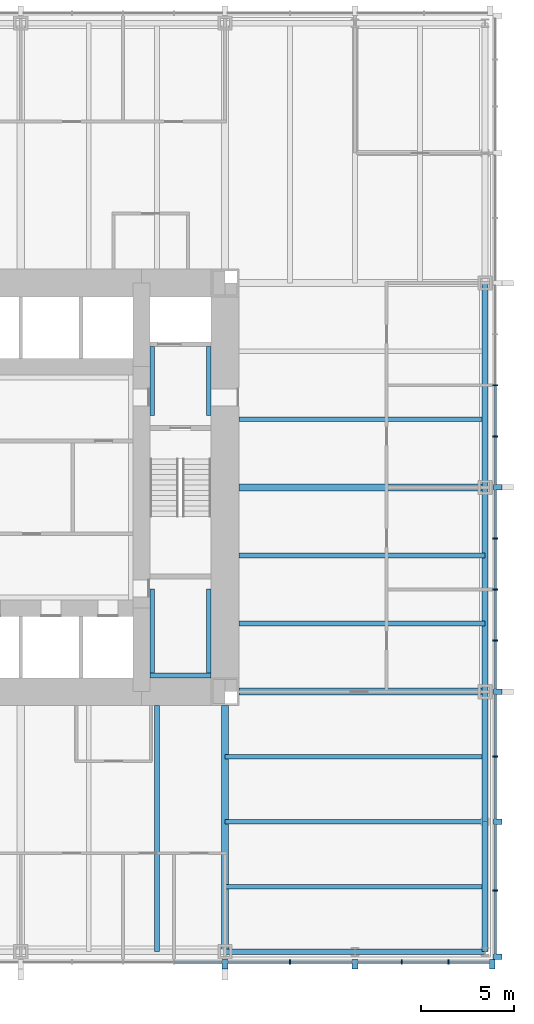
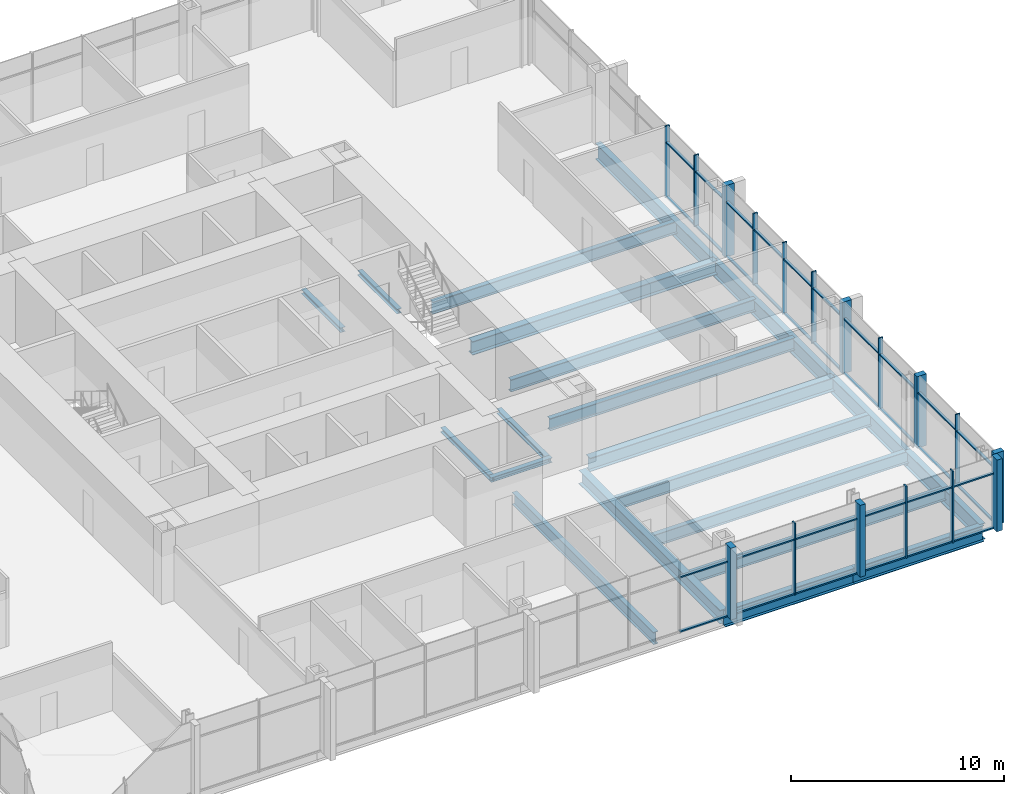
# One storey, part 4 of 12: 49 members, 21 beams, 2 elements without a shape of their own.
"""IFC4 building model written with IfcOpenShell, lengths in metres."""

from ifc_helpers import new_model, si_unit, direction, frame, origin, origin_2d, place, context, subcontext, project, spatial, rectangle, i_section, extrude, material, material_profile, profile_set, type_object, element, aggregate, save


model = new_model("IFC4")

# Units and contexts
model_context = context("Model", 3, precision=1e-05, world=origin(), true_north=direction((0.0, 1.0)))
body_context = subcontext(model_context, "Body", "Model", "MODEL_VIEW")
ifc_project = project(units=[si_unit("LENGTHUNIT", "METRE"), si_unit("AREAUNIT", "SQUARE_METRE"), si_unit("VOLUMEUNIT", "CUBIC_METRE"), si_unit("PLANEANGLEUNIT", "RADIAN"), si_unit("MASSUNIT", "GRAM", prefix="KILO")], contexts=[model_context])

# Site, building, storey
site_placement = place(None, origin())
site = spatial("IfcSite", under=ifc_project, at=site_placement, CompositionType="ELEMENT")
building_placement = place(site_placement, origin())
building = spatial("IfcBuilding", under=site, at=building_placement, Name="Trevanion Tower", CompositionType="ELEMENT")
storey_placement = place(building_placement, frame((0.0, 0.0, 69.300048828125)))
storey = spatial("IfcBuildingStorey", under=building, at=storey_placement, Name="L16", CompositionType="ELEMENT", Elevation=69.300048828125)

# Beams
ifc_material_1 = material(Name="Steel ASTM A992 Grade 50", Category="steel")
ifc_material_profile_1 = material_profile(ifc_material_1, i_section(OverallWidth=0.25390625, OverallDepth=0.700927734375, WebThickness=0.015380859375, FlangeThickness=0.02783203125, at=origin_2d()), Name="W27X129")
ifc_profile_set_1 = profile_set([ifc_material_profile_1], Name="Steel ASTM A992 Grade 50")
beam_type_1 = type_object("IfcBeamType", Name="B3 W27X129", PredefinedType="BEAM", material=ifc_profile_set_1)
for number, where, z_axis, x_axis, name in (
    (1, (11.75, -7.333251953125, -0.54052734375), (1.0, 0.0, 0.0), (0.0, 1.0, 0.0), "B3 L16"),
    (2, (11.75, -3.666748046875, -0.54052734375), (1.0, 0.0, 0.0), (0.0, 1.0, 0.0), "B3 L16"),
    (3, (11.75, 3.666748046875, -0.54052734375), (1.0, 0.0, 0.0), (0.0, 1.0, 0.0), "B3 L16"),
    (4, (7.333251953125, -11.75, -0.54052734375), (0.0, -1.0, 0.0), (1.0, 0.0, 0.0), "B3 L16"),
):
    element("IfcBeam", number, at=place(storey_placement, frame(where, z_axis=z_axis, x_axis=x_axis)), inside=storey, type_object=beam_type_1, Name=name, PredefinedType="BEAM", context=body_context, shape_type="SweptSolid", body=[
        extrude(i_section(OverallWidth=0.25390625, OverallDepth=0.700927734375, WebThickness=0.015380859375, FlangeThickness=0.02783203125, at=origin_2d()), origin(), (0.0, 0.0, 1.0), 13.25),
    ])
ifc_material_2 = material(Name="Steel ASTM A992 Grade 50", Category="steel")
ifc_material_profile_2 = material_profile(ifc_material_2, i_section(OverallWidth=0.256591796875, OverallDepth=0.693359375, WebThickness=0.014404296875, FlangeThickness=0.023681640625, at=origin_2d()), Name="W27X114")
ifc_profile_set_2 = profile_set([ifc_material_profile_2], Name="Steel ASTM A992 Grade 50")
beam_type_2 = type_object("IfcBeamType", Name="B4 W27X114", PredefinedType="BEAM", material=ifc_profile_set_2)
for number, where, z_axis, x_axis, name in (
    (5, (11.0, -14.5, -0.536865234375), (1.0, 0.0, 0.0), (0.0, 1.0, 0.0), "B4 L16"),
    (6, (11.0, -18.0, -0.536865234375), (1.0, 0.0, 0.0), (0.0, 1.0, 0.0), "B4 L16"),
    (7, (11.0, -21.5, -0.536865234375), (1.0, 0.0, 0.0), (0.0, 1.0, 0.0), "B4 L16"),
):
    element("IfcBeam", number, at=place(storey_placement, frame(where, z_axis=z_axis, x_axis=x_axis)), inside=storey, type_object=beam_type_2, Name=name, PredefinedType="BEAM", context=body_context, shape_type="SweptSolid", body=[
        extrude(i_section(OverallWidth=0.256591796875, OverallDepth=0.693359375, WebThickness=0.014404296875, FlangeThickness=0.023681640625, at=origin_2d()), origin(), (0.0, 0.0, 1.0), 14.0),
    ])

# Curtain wall, members
ifc_material_3 = material(Name="Aluminium and glass", Category="aluminium")
curtain_wall_type = type_object("IfcCurtainWallType", Name="CW1 curtain wall", PredefinedType="USERDEFINED", material=ifc_material_3)
curtain_wall_1_placement = place(storey_placement, origin())
curtain_wall_1 = element("IfcCurtainWall", 8, at=curtain_wall_1_placement, inside=storey, type_object=curtain_wall_type, Name="CW1 L16 0", ObjectType="UNITISED CURTAIN WALL", PredefinedType="USERDEFINED")
ifc_material_4 = material(Name="Aluminium extrusion, anodised bronze", Category="aluminium")
ifc_material_profile_3 = material_profile(ifc_material_4, rectangle(XDim=0.074951171875, YDim=0.25, at=origin_2d()), Name="CW1 mullion")
ifc_profile_set_3 = profile_set([ifc_material_profile_3], Name="Aluminium extrusion, anodised bronze")
member_type_1 = type_object("IfcMemberType", Name="CW1 mullion", PredefinedType="MULLION", material=ifc_profile_set_3)
member_1_placement = place(storey_placement, frame((25.550048828125, -21.7099609375, -0.18994140625), z_axis=(0.0, 0.0, 1.0), x_axis=(0.0, 1.0, 0.0)))
member_1 = element("IfcMember", 9, at=member_1_placement, type_object=member_type_1, Name="CW1 mullion 2", PredefinedType="MULLION", context=body_context, shape_type="SweptSolid", body=[
    extrude(rectangle(XDim=0.074951171875, YDim=0.25, at=origin_2d()), origin(), (0.0, 0.0, 1.0), 4.099853515625),
])
member_2_placement = place(storey_placement, frame((25.550048828125, -14.5, -0.18994140625), z_axis=(0.0, 0.0, 1.0), x_axis=(0.0, 1.0, 0.0)))
member_2 = element("IfcMember", 10, at=member_2_placement, type_object=member_type_1, Name="CW1 mullion 4", PredefinedType="MULLION", context=body_context, shape_type="SweptSolid", body=[
    extrude(rectangle(XDim=0.074951171875, YDim=0.25, at=origin_2d()), origin(), (0.0, 0.0, 1.0), 4.099853515625),
])
member_3_placement = place(storey_placement, frame((25.550048828125, -8.25, -0.18994140625), z_axis=(0.0, 0.0, 1.0), x_axis=(0.0, 1.0, 0.0)))
member_3 = element("IfcMember", 11, at=member_3_placement, type_object=member_type_1, Name="CW1 mullion 6", PredefinedType="MULLION", context=body_context, shape_type="SweptSolid", body=[
    extrude(rectangle(XDim=0.074951171875, YDim=0.25, at=origin_2d()), origin(), (0.0, 0.0, 1.0), 4.099853515625),
])
member_4_placement = place(storey_placement, frame((25.550048828125, -5.5, -0.18994140625), z_axis=(0.0, 0.0, 1.0), x_axis=(0.0, 1.0, 0.0)))
member_4 = element("IfcMember", 12, at=member_4_placement, type_object=member_type_1, Name="CW1 mullion 7", PredefinedType="MULLION", context=body_context, shape_type="SweptSolid", body=[
    extrude(rectangle(XDim=0.074951171875, YDim=0.25, at=origin_2d()), origin(), (0.0, 0.0, 1.0), 4.099853515625),
])
member_5_placement = place(storey_placement, frame((25.550048828125, -2.75, -0.18994140625), z_axis=(0.0, 0.0, 1.0), x_axis=(0.0, 1.0, 0.0)))
member_5 = element("IfcMember", 13, at=member_5_placement, type_object=member_type_1, Name="CW1 mullion 8", PredefinedType="MULLION", context=body_context, shape_type="SweptSolid", body=[
    extrude(rectangle(XDim=0.074951171875, YDim=0.25, at=origin_2d()), origin(), (0.0, 0.0, 1.0), 4.099853515625),
])
member_6_placement = place(storey_placement, frame((25.550048828125, 2.75, -0.18994140625), z_axis=(0.0, 0.0, 1.0), x_axis=(0.0, 1.0, 0.0)))
member_6 = element("IfcMember", 14, at=member_6_placement, type_object=member_type_1, Name="CW1 mullion 10", PredefinedType="MULLION", context=body_context, shape_type="SweptSolid", body=[
    extrude(rectangle(XDim=0.074951171875, YDim=0.25, at=origin_2d()), origin(), (0.0, 0.0, 1.0), 4.099853515625),
])
member_7_placement = place(storey_placement, frame((25.550048828125, 5.5, -0.18994140625), z_axis=(0.0, 0.0, 1.0), x_axis=(0.0, 1.0, 0.0)))
member_7 = element("IfcMember", 15, at=member_7_placement, type_object=member_type_1, Name="CW1 mullion 11", PredefinedType="MULLION", context=body_context, shape_type="SweptSolid", body=[
    extrude(rectangle(XDim=0.074951171875, YDim=0.25, at=origin_2d()), origin(), (0.0, 0.0, 1.0), 4.099853515625),
])

curtain_wall_2_placement = place(storey_placement, origin())
curtain_wall_2 = element("IfcCurtainWall", 16, at=curtain_wall_2_placement, inside=storey, type_object=curtain_wall_type, Name="CW1 L16 3", ObjectType="UNITISED CURTAIN WALL", PredefinedType="USERDEFINED")
member_8_placement = place(storey_placement, frame((14.5, -25.550048828125, -0.18994140625), z_axis=(0.0, 0.0, 1.0), x_axis=(1.0, 0.0, 0.0)))
member_8 = element("IfcMember", 17, at=member_8_placement, type_object=member_type_1, Name="CW1 mullion 14", PredefinedType="MULLION", context=body_context, shape_type="SweptSolid", body=[
    extrude(rectangle(XDim=0.074951171875, YDim=0.25, at=origin_2d()), origin(), (0.0, 0.0, 1.0), 4.099853515625),
])
member_9_placement = place(storey_placement, frame((20.5166015625, -25.550048828125, -0.18994140625), z_axis=(0.0, 0.0, 1.0), x_axis=(1.0, 0.0, 0.0)))
member_9 = element("IfcMember", 18, at=member_9_placement, type_object=member_type_1, Name="CW1 mullion 16", PredefinedType="MULLION", context=body_context, shape_type="SweptSolid", body=[
    extrude(rectangle(XDim=0.074951171875, YDim=0.25, at=origin_2d()), origin(), (0.0, 0.0, 1.0), 4.099853515625),
])
member_10_placement = place(storey_placement, frame((23.033203125, -25.550048828125, -0.18994140625), z_axis=(0.0, 0.0, 1.0), x_axis=(1.0, 0.0, 0.0)))
member_10 = element("IfcMember", 19, at=member_10_placement, type_object=member_type_1, Name="CW1 mullion 17", PredefinedType="MULLION", context=body_context, shape_type="SweptSolid", body=[
    extrude(rectangle(XDim=0.074951171875, YDim=0.25, at=origin_2d()), origin(), (0.0, 0.0, 1.0), 4.099853515625),
])

# Member
ifc_material_5 = material(Name="Aluminium extrusion, anodised bronze", Category="aluminium")
ifc_material_profile_4 = material_profile(ifc_material_5, rectangle(XDim=0.300048828125, YDim=0.5, at=origin_2d()), Name="CW1 pier mullion")
ifc_profile_set_4 = profile_set([ifc_material_profile_4], Name="Aluminium extrusion, anodised bronze")
member_type_2 = type_object("IfcMemberType", Name="CW1 pier mullion", PredefinedType="MULLION", material=ifc_profile_set_4)
member_11_placement = place(storey_placement, frame((25.675048828125, -25.27001953125, -0.18994140625), z_axis=(0.0, 0.0, 1.0), x_axis=(0.0, 1.0, 0.0)))
member_11 = element("IfcMember", 20, at=member_11_placement, type_object=member_type_2, Name="CW1 pier mullion 1", PredefinedType="MULLION", context=body_context, shape_type="SweptSolid", body=[
    extrude(rectangle(XDim=0.300048828125, YDim=0.5, at=origin_2d()), origin(), (0.0, 0.0, 1.0), 4.099853515625),
])

member_12_placement = place(storey_placement, frame((25.675048828125, -18.0, -0.18994140625), z_axis=(0.0, 0.0, 1.0), x_axis=(0.0, 1.0, 0.0)))
member_12 = element("IfcMember", 21, at=member_12_placement, type_object=member_type_2, Name="CW1 pier mullion 3", PredefinedType="MULLION", context=body_context, shape_type="SweptSolid", body=[
    extrude(rectangle(XDim=0.300048828125, YDim=0.5, at=origin_2d()), origin(), (0.0, 0.0, 1.0), 4.099853515625),
])

member_13_placement = place(storey_placement, frame((25.675048828125, -11.0, -0.18994140625), z_axis=(0.0, 0.0, 1.0), x_axis=(0.0, 1.0, 0.0)))
member_13 = element("IfcMember", 22, at=member_13_placement, type_object=member_type_2, Name="CW1 pier mullion 5", PredefinedType="MULLION", context=body_context, shape_type="SweptSolid", body=[
    extrude(rectangle(XDim=0.300048828125, YDim=0.5, at=origin_2d()), origin(), (0.0, 0.0, 1.0), 4.099853515625),
])

member_14_placement = place(storey_placement, frame((25.675048828125, 0.0, -0.18994140625), z_axis=(0.0, 0.0, 1.0), x_axis=(0.0, 1.0, 0.0)))
member_14 = element("IfcMember", 23, at=member_14_placement, type_object=member_type_2, Name="CW1 pier mullion 9", PredefinedType="MULLION", context=body_context, shape_type="SweptSolid", body=[
    extrude(rectangle(XDim=0.300048828125, YDim=0.5, at=origin_2d()), origin(), (0.0, 0.0, 1.0), 4.099853515625),
])

member_15_placement = place(storey_placement, frame((11.0, -25.675048828125, -0.18994140625), z_axis=(0.0, 0.0, 1.0), x_axis=(1.0, 0.0, 0.0)))
member_15 = element("IfcMember", 24, at=member_15_placement, type_object=member_type_2, Name="CW1 pier mullion 13", PredefinedType="MULLION", context=body_context, shape_type="SweptSolid", body=[
    extrude(rectangle(XDim=0.300048828125, YDim=0.5, at=origin_2d()), origin(), (0.0, 0.0, 1.0), 4.099853515625),
])

member_16_placement = place(storey_placement, frame((18.0, -25.675048828125, -0.18994140625), z_axis=(0.0, 0.0, 1.0), x_axis=(1.0, 0.0, 0.0)))
member_16 = element("IfcMember", 25, at=member_16_placement, type_object=member_type_2, Name="CW1 pier mullion 15", PredefinedType="MULLION", context=body_context, shape_type="SweptSolid", body=[
    extrude(rectangle(XDim=0.300048828125, YDim=0.5, at=origin_2d()), origin(), (0.0, 0.0, 1.0), 4.099853515625),
])

member_17_placement = place(storey_placement, frame((25.39990234375, -25.675048828125, -0.18994140625), z_axis=(0.0, 0.0, 1.0), x_axis=(1.0, 0.0, 0.0)))
member_17 = element("IfcMember", 26, at=member_17_placement, type_object=member_type_2, Name="CW1 pier mullion 18", PredefinedType="MULLION", context=body_context, shape_type="SweptSolid", body=[
    extrude(rectangle(XDim=0.300048828125, YDim=0.5, at=origin_2d()), origin(), (0.0, 0.0, 1.0), 4.099853515625),
])

ifc_material_6 = material(Name="Aluminium extrusion, anodised bronze", Category="aluminium")
ifc_material_profile_5 = material_profile(ifc_material_6, rectangle(XDim=0.14990234375, YDim=0.074951171875, at=origin_2d()), Name="CW1 transom")
ifc_profile_set_5 = profile_set([ifc_material_profile_5], Name="Aluminium extrusion, anodised bronze")
member_type_3 = type_object("IfcMemberType", Name="CW1 transom", PredefinedType="USERDEFINED", material=ifc_profile_set_5)
member_18_placement = place(storey_placement, frame((25.550048828125, -25.1201171875, -0.152587890625), z_axis=(0.0, 1.0, 0.0), x_axis=(-1.0, 0.0, 0.0)))
member_18 = element("IfcMember", 27, at=member_18_placement, type_object=member_type_3, Name="CW1 transom 1.1", ObjectType="TRANSOM", PredefinedType="USERDEFINED", context=body_context, shape_type="SweptSolid", body=[
    extrude(rectangle(XDim=0.14990234375, YDim=0.074951171875, at=origin_2d()), origin(), (0.0, 0.0, 1.0), 3.37255859375),
])

member_19_placement = place(storey_placement, frame((25.550048828125, -25.1201171875, 2.9599609375), z_axis=(0.0, 1.0, 0.0), x_axis=(-1.0, 0.0, 0.0)))
member_19 = element("IfcMember", 28, at=member_19_placement, type_object=member_type_3, Name="CW1 transom 1.2", ObjectType="TRANSOM", PredefinedType="USERDEFINED", context=body_context, shape_type="SweptSolid", body=[
    extrude(rectangle(XDim=0.14990234375, YDim=0.074951171875, at=origin_2d()), origin(), (0.0, 0.0, 1.0), 3.37255859375),
])

member_20_placement = place(storey_placement, frame((25.550048828125, -21.672607421875, -0.152587890625), z_axis=(0.0, 1.0, 0.0), x_axis=(-1.0, 0.0, 0.0)))
member_20 = element("IfcMember", 29, at=member_20_placement, type_object=member_type_3, Name="CW1 transom 2.1", ObjectType="TRANSOM", PredefinedType="USERDEFINED", context=body_context, shape_type="SweptSolid", body=[
    extrude(rectangle(XDim=0.14990234375, YDim=0.074951171875, at=origin_2d()), origin(), (0.0, 0.0, 1.0), 3.522705078125),
])

member_21_placement = place(storey_placement, frame((25.550048828125, -21.672607421875, 2.9599609375), z_axis=(0.0, 1.0, 0.0), x_axis=(-1.0, 0.0, 0.0)))
member_21 = element("IfcMember", 30, at=member_21_placement, type_object=member_type_3, Name="CW1 transom 2.2", ObjectType="TRANSOM", PredefinedType="USERDEFINED", context=body_context, shape_type="SweptSolid", body=[
    extrude(rectangle(XDim=0.14990234375, YDim=0.074951171875, at=origin_2d()), origin(), (0.0, 0.0, 1.0), 3.522705078125),
])

member_22_placement = place(storey_placement, frame((25.550048828125, -17.85009765625, -0.152587890625), z_axis=(0.0, 1.0, 0.0), x_axis=(-1.0, 0.0, 0.0)))
member_22 = element("IfcMember", 31, at=member_22_placement, type_object=member_type_3, Name="CW1 transom 3.1", ObjectType="TRANSOM", PredefinedType="USERDEFINED", context=body_context, shape_type="SweptSolid", body=[
    extrude(rectangle(XDim=0.14990234375, YDim=0.074951171875, at=origin_2d()), origin(), (0.0, 0.0, 1.0), 3.3125),
])

member_23_placement = place(storey_placement, frame((25.550048828125, -17.85009765625, 2.9599609375), z_axis=(0.0, 1.0, 0.0), x_axis=(-1.0, 0.0, 0.0)))
member_23 = element("IfcMember", 32, at=member_23_placement, type_object=member_type_3, Name="CW1 transom 3.2", ObjectType="TRANSOM", PredefinedType="USERDEFINED", context=body_context, shape_type="SweptSolid", body=[
    extrude(rectangle(XDim=0.14990234375, YDim=0.074951171875, at=origin_2d()), origin(), (0.0, 0.0, 1.0), 3.3125),
])

member_24_placement = place(storey_placement, frame((25.550048828125, -14.46240234375, -0.152587890625), z_axis=(0.0, 1.0, 0.0), x_axis=(-1.0, 0.0, 0.0)))
member_24 = element("IfcMember", 33, at=member_24_placement, type_object=member_type_3, Name="CW1 transom 4.1", ObjectType="TRANSOM", PredefinedType="USERDEFINED", context=body_context, shape_type="SweptSolid", body=[
    extrude(rectangle(XDim=0.14990234375, YDim=0.074951171875, at=origin_2d()), origin(), (0.0, 0.0, 1.0), 3.3125),
])

member_25_placement = place(storey_placement, frame((25.550048828125, -14.46240234375, 2.9599609375), z_axis=(0.0, 1.0, 0.0), x_axis=(-1.0, 0.0, 0.0)))
member_25 = element("IfcMember", 34, at=member_25_placement, type_object=member_type_3, Name="CW1 transom 4.2", ObjectType="TRANSOM", PredefinedType="USERDEFINED", context=body_context, shape_type="SweptSolid", body=[
    extrude(rectangle(XDim=0.14990234375, YDim=0.074951171875, at=origin_2d()), origin(), (0.0, 0.0, 1.0), 3.3125),
])

member_26_placement = place(storey_placement, frame((25.550048828125, -10.85009765625, -0.152587890625), z_axis=(0.0, 1.0, 0.0), x_axis=(-1.0, 0.0, 0.0)))
member_26 = element("IfcMember", 35, at=member_26_placement, type_object=member_type_3, Name="CW1 transom 5.1", ObjectType="TRANSOM", PredefinedType="USERDEFINED", context=body_context, shape_type="SweptSolid", body=[
    extrude(rectangle(XDim=0.14990234375, YDim=0.074951171875, at=origin_2d()), origin(), (0.0, 0.0, 1.0), 2.5625),
])

member_27_placement = place(storey_placement, frame((25.550048828125, -10.85009765625, 2.9599609375), z_axis=(0.0, 1.0, 0.0), x_axis=(-1.0, 0.0, 0.0)))
member_27 = element("IfcMember", 36, at=member_27_placement, type_object=member_type_3, Name="CW1 transom 5.2", ObjectType="TRANSOM", PredefinedType="USERDEFINED", context=body_context, shape_type="SweptSolid", body=[
    extrude(rectangle(XDim=0.14990234375, YDim=0.074951171875, at=origin_2d()), origin(), (0.0, 0.0, 1.0), 2.5625),
])

member_28_placement = place(storey_placement, frame((25.550048828125, -8.21240234375, -0.152587890625), z_axis=(0.0, 1.0, 0.0), x_axis=(-1.0, 0.0, 0.0)))
member_28 = element("IfcMember", 37, at=member_28_placement, type_object=member_type_3, Name="CW1 transom 6.1", ObjectType="TRANSOM", PredefinedType="USERDEFINED", context=body_context, shape_type="SweptSolid", body=[
    extrude(rectangle(XDim=0.14990234375, YDim=0.074951171875, at=origin_2d()), origin(), (0.0, 0.0, 1.0), 2.6748046875),
])

member_29_placement = place(storey_placement, frame((25.550048828125, -8.21240234375, 2.9599609375), z_axis=(0.0, 1.0, 0.0), x_axis=(-1.0, 0.0, 0.0)))
member_29 = element("IfcMember", 38, at=member_29_placement, type_object=member_type_3, Name="CW1 transom 6.2", ObjectType="TRANSOM", PredefinedType="USERDEFINED", context=body_context, shape_type="SweptSolid", body=[
    extrude(rectangle(XDim=0.14990234375, YDim=0.074951171875, at=origin_2d()), origin(), (0.0, 0.0, 1.0), 2.6748046875),
])

member_30_placement = place(storey_placement, frame((25.550048828125, -5.46240234375, -0.152587890625), z_axis=(0.0, 1.0, 0.0), x_axis=(-1.0, 0.0, 0.0)))
member_30 = element("IfcMember", 39, at=member_30_placement, type_object=member_type_3, Name="CW1 transom 7.1", ObjectType="TRANSOM", PredefinedType="USERDEFINED", context=body_context, shape_type="SweptSolid", body=[
    extrude(rectangle(XDim=0.14990234375, YDim=0.074951171875, at=origin_2d()), origin(), (0.0, 0.0, 1.0), 2.6748046875),
])

member_31_placement = place(storey_placement, frame((25.550048828125, -5.46240234375, 2.9599609375), z_axis=(0.0, 1.0, 0.0), x_axis=(-1.0, 0.0, 0.0)))
member_31 = element("IfcMember", 40, at=member_31_placement, type_object=member_type_3, Name="CW1 transom 7.2", ObjectType="TRANSOM", PredefinedType="USERDEFINED", context=body_context, shape_type="SweptSolid", body=[
    extrude(rectangle(XDim=0.14990234375, YDim=0.074951171875, at=origin_2d()), origin(), (0.0, 0.0, 1.0), 2.6748046875),
])

member_32_placement = place(storey_placement, frame((25.550048828125, -2.71240234375, -0.152587890625), z_axis=(0.0, 1.0, 0.0), x_axis=(-1.0, 0.0, 0.0)))
member_32 = element("IfcMember", 41, at=member_32_placement, type_object=member_type_3, Name="CW1 transom 8.1", ObjectType="TRANSOM", PredefinedType="USERDEFINED", context=body_context, shape_type="SweptSolid", body=[
    extrude(rectangle(XDim=0.14990234375, YDim=0.074951171875, at=origin_2d()), origin(), (0.0, 0.0, 1.0), 2.5625),
])

member_33_placement = place(storey_placement, frame((25.550048828125, -2.71240234375, 2.9599609375), z_axis=(0.0, 1.0, 0.0), x_axis=(-1.0, 0.0, 0.0)))
member_33 = element("IfcMember", 42, at=member_33_placement, type_object=member_type_3, Name="CW1 transom 8.2", ObjectType="TRANSOM", PredefinedType="USERDEFINED", context=body_context, shape_type="SweptSolid", body=[
    extrude(rectangle(XDim=0.14990234375, YDim=0.074951171875, at=origin_2d()), origin(), (0.0, 0.0, 1.0), 2.5625),
])

member_34_placement = place(storey_placement, frame((25.550048828125, 0.14990234375, -0.152587890625), z_axis=(0.0, 1.0, 0.0), x_axis=(-1.0, 0.0, 0.0)))
member_34 = element("IfcMember", 43, at=member_34_placement, type_object=member_type_3, Name="CW1 transom 9.1", ObjectType="TRANSOM", PredefinedType="USERDEFINED", context=body_context, shape_type="SweptSolid", body=[
    extrude(rectangle(XDim=0.14990234375, YDim=0.074951171875, at=origin_2d()), origin(), (0.0, 0.0, 1.0), 2.5625),
])

member_35_placement = place(storey_placement, frame((25.550048828125, 0.14990234375, 2.9599609375), z_axis=(0.0, 1.0, 0.0), x_axis=(-1.0, 0.0, 0.0)))
member_35 = element("IfcMember", 44, at=member_35_placement, type_object=member_type_3, Name="CW1 transom 9.2", ObjectType="TRANSOM", PredefinedType="USERDEFINED", context=body_context, shape_type="SweptSolid", body=[
    extrude(rectangle(XDim=0.14990234375, YDim=0.074951171875, at=origin_2d()), origin(), (0.0, 0.0, 1.0), 2.5625),
])

member_36_placement = place(storey_placement, frame((25.550048828125, 2.78759765625, -0.152587890625), z_axis=(0.0, 1.0, 0.0), x_axis=(-1.0, 0.0, 0.0)))
member_36 = element("IfcMember", 45, at=member_36_placement, type_object=member_type_3, Name="CW1 transom 10.1", ObjectType="TRANSOM", PredefinedType="USERDEFINED", context=body_context, shape_type="SweptSolid", body=[
    extrude(rectangle(XDim=0.14990234375, YDim=0.074951171875, at=origin_2d()), origin(), (0.0, 0.0, 1.0), 2.6748046875),
])

member_37_placement = place(storey_placement, frame((25.550048828125, 2.78759765625, 2.9599609375), z_axis=(0.0, 1.0, 0.0), x_axis=(-1.0, 0.0, 0.0)))
member_37 = element("IfcMember", 46, at=member_37_placement, type_object=member_type_3, Name="CW1 transom 10.2", ObjectType="TRANSOM", PredefinedType="USERDEFINED", context=body_context, shape_type="SweptSolid", body=[
    extrude(rectangle(XDim=0.14990234375, YDim=0.074951171875, at=origin_2d()), origin(), (0.0, 0.0, 1.0), 2.6748046875),
])

aggregate(curtain_wall_1, [member_11, member_1, member_12, member_2, member_13, member_3, member_4, member_5, member_14, member_6, member_7, member_18, member_19, member_20, member_21, member_22, member_23, member_24, member_25, member_26, member_27, member_28, member_29, member_30, member_31, member_32, member_33, member_34, member_35, member_36, member_37])

member_38_placement = place(storey_placement, frame((8.28759765625, -25.550048828125, -0.152587890625), z_axis=(1.0, 0.0, 0.0), x_axis=(0.0, 1.0, 0.0)))
member_38 = element("IfcMember", 47, at=member_38_placement, type_object=member_type_3, Name="CW1 transom 12.1", ObjectType="TRANSOM", PredefinedType="USERDEFINED", context=body_context, shape_type="SweptSolid", body=[
    extrude(rectangle(XDim=0.14990234375, YDim=0.074951171875, at=origin_2d()), origin(), (0.0, 0.0, 1.0), 2.5625),
])

member_39_placement = place(storey_placement, frame((8.28759765625, -25.550048828125, 2.9599609375), z_axis=(1.0, 0.0, 0.0), x_axis=(0.0, 1.0, 0.0)))
member_39 = element("IfcMember", 48, at=member_39_placement, type_object=member_type_3, Name="CW1 transom 12.2", ObjectType="TRANSOM", PredefinedType="USERDEFINED", context=body_context, shape_type="SweptSolid", body=[
    extrude(rectangle(XDim=0.14990234375, YDim=0.074951171875, at=origin_2d()), origin(), (0.0, 0.0, 1.0), 2.5625),
])

member_40_placement = place(storey_placement, frame((11.14990234375, -25.550048828125, -0.152587890625), z_axis=(1.0, 0.0, 0.0), x_axis=(0.0, 1.0, 0.0)))
member_40 = element("IfcMember", 49, at=member_40_placement, type_object=member_type_3, Name="CW1 transom 13.1", ObjectType="TRANSOM", PredefinedType="USERDEFINED", context=body_context, shape_type="SweptSolid", body=[
    extrude(rectangle(XDim=0.14990234375, YDim=0.074951171875, at=origin_2d()), origin(), (0.0, 0.0, 1.0), 3.3125),
])

member_41_placement = place(storey_placement, frame((11.14990234375, -25.550048828125, 2.9599609375), z_axis=(1.0, 0.0, 0.0), x_axis=(0.0, 1.0, 0.0)))
member_41 = element("IfcMember", 50, at=member_41_placement, type_object=member_type_3, Name="CW1 transom 13.2", ObjectType="TRANSOM", PredefinedType="USERDEFINED", context=body_context, shape_type="SweptSolid", body=[
    extrude(rectangle(XDim=0.14990234375, YDim=0.074951171875, at=origin_2d()), origin(), (0.0, 0.0, 1.0), 3.3125),
])

member_42_placement = place(storey_placement, frame((14.53759765625, -25.550048828125, -0.152587890625), z_axis=(1.0, 0.0, 0.0), x_axis=(0.0, 1.0, 0.0)))
member_42 = element("IfcMember", 51, at=member_42_placement, type_object=member_type_3, Name="CW1 transom 14.1", ObjectType="TRANSOM", PredefinedType="USERDEFINED", context=body_context, shape_type="SweptSolid", body=[
    extrude(rectangle(XDim=0.14990234375, YDim=0.074951171875, at=origin_2d()), origin(), (0.0, 0.0, 1.0), 3.3125),
])

member_43_placement = place(storey_placement, frame((14.53759765625, -25.550048828125, 2.9599609375), z_axis=(1.0, 0.0, 0.0), x_axis=(0.0, 1.0, 0.0)))
member_43 = element("IfcMember", 52, at=member_43_placement, type_object=member_type_3, Name="CW1 transom 14.2", ObjectType="TRANSOM", PredefinedType="USERDEFINED", context=body_context, shape_type="SweptSolid", body=[
    extrude(rectangle(XDim=0.14990234375, YDim=0.074951171875, at=origin_2d()), origin(), (0.0, 0.0, 1.0), 3.3125),
])

member_44_placement = place(storey_placement, frame((18.14990234375, -25.550048828125, -0.152587890625), z_axis=(1.0, 0.0, 0.0), x_axis=(0.0, 1.0, 0.0)))
member_44 = element("IfcMember", 53, at=member_44_placement, type_object=member_type_3, Name="CW1 transom 15.1", ObjectType="TRANSOM", PredefinedType="USERDEFINED", context=body_context, shape_type="SweptSolid", body=[
    extrude(rectangle(XDim=0.14990234375, YDim=0.074951171875, at=origin_2d()), origin(), (0.0, 0.0, 1.0), 2.329345703125),
])

member_45_placement = place(storey_placement, frame((18.14990234375, -25.550048828125, 2.9599609375), z_axis=(1.0, 0.0, 0.0), x_axis=(0.0, 1.0, 0.0)))
member_45 = element("IfcMember", 54, at=member_45_placement, type_object=member_type_3, Name="CW1 transom 15.2", ObjectType="TRANSOM", PredefinedType="USERDEFINED", context=body_context, shape_type="SweptSolid", body=[
    extrude(rectangle(XDim=0.14990234375, YDim=0.074951171875, at=origin_2d()), origin(), (0.0, 0.0, 1.0), 2.329345703125),
])

member_46_placement = place(storey_placement, frame((20.55419921875, -25.550048828125, -0.152587890625), z_axis=(1.0, 0.0, 0.0), x_axis=(0.0, 1.0, 0.0)))
member_46 = element("IfcMember", 55, at=member_46_placement, type_object=member_type_3, Name="CW1 transom 16.1", ObjectType="TRANSOM", PredefinedType="USERDEFINED", context=body_context, shape_type="SweptSolid", body=[
    extrude(rectangle(XDim=0.14990234375, YDim=0.074951171875, at=origin_2d()), origin(), (0.0, 0.0, 1.0), 2.441650390625),
])

member_47_placement = place(storey_placement, frame((20.55419921875, -25.550048828125, 2.9599609375), z_axis=(1.0, 0.0, 0.0), x_axis=(0.0, 1.0, 0.0)))
member_47 = element("IfcMember", 56, at=member_47_placement, type_object=member_type_3, Name="CW1 transom 16.2", ObjectType="TRANSOM", PredefinedType="USERDEFINED", context=body_context, shape_type="SweptSolid", body=[
    extrude(rectangle(XDim=0.14990234375, YDim=0.074951171875, at=origin_2d()), origin(), (0.0, 0.0, 1.0), 2.441650390625),
])

member_48_placement = place(storey_placement, frame((23.07080078125, -25.550048828125, -0.152587890625), z_axis=(1.0, 0.0, 0.0), x_axis=(0.0, 1.0, 0.0)))
member_48 = element("IfcMember", 57, at=member_48_placement, type_object=member_type_3, Name="CW1 transom 17.1", ObjectType="TRANSOM", PredefinedType="USERDEFINED", context=body_context, shape_type="SweptSolid", body=[
    extrude(rectangle(XDim=0.14990234375, YDim=0.074951171875, at=origin_2d()), origin(), (0.0, 0.0, 1.0), 2.17919921875),
])

member_49_placement = place(storey_placement, frame((23.07080078125, -25.550048828125, 2.9599609375), z_axis=(1.0, 0.0, 0.0), x_axis=(0.0, 1.0, 0.0)))
member_49 = element("IfcMember", 58, at=member_49_placement, type_object=member_type_3, Name="CW1 transom 17.2", ObjectType="TRANSOM", PredefinedType="USERDEFINED", context=body_context, shape_type="SweptSolid", body=[
    extrude(rectangle(XDim=0.14990234375, YDim=0.074951171875, at=origin_2d()), origin(), (0.0, 0.0, 1.0), 2.17919921875),
])

aggregate(curtain_wall_2, [member_15, member_8, member_16, member_9, member_10, member_17, member_38, member_39, member_40, member_41, member_42, member_43, member_44, member_45, member_46, member_47, member_48, member_49])

# Beams
ifc_material_7 = material(Name="Steel ASTM A992 Grade 50", Category="steel")
ifc_material_profile_6 = material_profile(ifc_material_7, i_section(OverallWidth=0.381103515625, OverallDepth=0.77978515625, WebThickness=0.01806640625, FlangeThickness=0.0302734375, at=origin_2d()), Name="W30X191")
ifc_profile_set_6 = profile_set([ifc_material_profile_6], Name="Steel ASTM A992 Grade 50")
beam_type_3 = type_object("IfcBeamType", Name="G2 W30X191", PredefinedType="BEAM", material=ifc_profile_set_6)
for number, where, z_axis, x_axis, name in (
    (59, (11.75, -11.0, -0.579833984375), (1.0, 0.0, 0.0), (0.0, 1.0, 0.0), "G2 L16"),
    (60, (11.75, 0.0, -0.579833984375), (1.0, 0.0, 0.0), (0.0, 1.0, 0.0), "G2 L16"),
    (61, (11.0, -11.75, -0.579833984375), (0.0, -1.0, 0.0), (1.0, 0.0, 0.0), "G2 L16"),
):
    element("IfcBeam", number, at=place(storey_placement, frame(where, z_axis=z_axis, x_axis=x_axis)), inside=storey, type_object=beam_type_3, Name=name, PredefinedType="BEAM", context=body_context, shape_type="SweptSolid", body=[
        extrude(i_section(OverallWidth=0.381103515625, OverallDepth=0.77978515625, WebThickness=0.01806640625, FlangeThickness=0.0302734375, at=origin_2d()), origin(), (0.0, 0.0, 1.0), 13.25),
    ])
ifc_material_8 = material(Name="Steel ASTM A992 Grade 50", Category="steel")
ifc_material_profile_7 = material_profile(ifc_material_8, i_section(OverallWidth=0.256591796875, OverallDepth=0.26416015625, WebThickness=0.011962890625, FlangeThickness=0.01953125, at=origin_2d()), Name="W10X68")
ifc_profile_set_7 = profile_set([ifc_material_profile_7], Name="Steel ASTM A992 Grade 50")
beam_type_4 = type_object("IfcBeamType", Name="LB1 W10X68", PredefinedType="BEAM", material=ifc_profile_set_7)
for number, where, z_axis, x_axis, name in (
    (62, (7.078369140625, 3.875, -0.33203125), (0.0, 1.0, 0.0), (-1.0, 0.0, 0.0), "LB1 L16"),
    (63, (10.12158203125, 3.875, -0.33203125), (0.0, 1.0, 0.0), (-1.0, 0.0, 0.0), "LB1 L16"),
):
    element("IfcBeam", number, at=place(storey_placement, frame(where, z_axis=z_axis, x_axis=x_axis)), inside=storey, type_object=beam_type_4, Name=name, PredefinedType="BEAM", context=body_context, shape_type="SweptSolid", body=[
        extrude(i_section(OverallWidth=0.256591796875, OverallDepth=0.26416015625, WebThickness=0.011962890625, FlangeThickness=0.01953125, at=origin_2d()), origin(), (0.0, 0.0, 1.0), 3.699951171875),
    ])
for number, where, z_axis, x_axis, name in (
    (64, (7.078369140625, -10.25, -0.33203125), (0.0, 1.0, 0.0), (-1.0, 0.0, 0.0), "LB1 L16"),
    (65, (10.12158203125, -10.25, -0.33203125), (0.0, 1.0, 0.0), (-1.0, 0.0, 0.0), "LB1 L16"),
):
    element("IfcBeam", number, at=place(storey_placement, frame(where, z_axis=z_axis, x_axis=x_axis)), inside=storey, type_object=beam_type_4, Name=name, PredefinedType="BEAM", context=body_context, shape_type="SweptSolid", body=[
        extrude(i_section(OverallWidth=0.256591796875, OverallDepth=0.26416015625, WebThickness=0.011962890625, FlangeThickness=0.01953125, at=origin_2d()), origin(), (0.0, 0.0, 1.0), 4.77490234375),
    ])
beam_placement = place(storey_placement, frame((6.949951171875, -10.12158203125, -0.33203125), z_axis=(1.0, 0.0, 0.0), x_axis=(0.0, 1.0, 0.0)))
element("IfcBeam", 66, at=beam_placement, inside=storey, type_object=beam_type_4, Name="LB1 L16", PredefinedType="BEAM", context=body_context, shape_type="SweptSolid", body=[
    extrude(i_section(OverallWidth=0.256591796875, OverallDepth=0.26416015625, WebThickness=0.011962890625, FlangeThickness=0.01953125, at=origin_2d()), origin(), (0.0, 0.0, 1.0), 3.300048828125),
])
ifc_material_9 = material(Name="Steel ASTM A992 Grade 50", Category="steel")
ifc_material_profile_8 = material_profile(ifc_material_9, i_section(OverallWidth=0.307373046875, OverallDepth=0.927001953125, WebThickness=0.01953125, FlangeThickness=0.031982421875, at=origin_2d()), Name="W36X194")
ifc_profile_set_8 = profile_set([ifc_material_profile_8], Name="Steel ASTM A992 Grade 50")
beam_type_5 = type_object("IfcBeamType", Name="SB2 W36X194", PredefinedType="SPANDREL", material=ifc_profile_set_8)
for number, where, z_axis, x_axis, name in (
    (67, (25.0, -25.0, -0.653564453125), (0.0, 1.0, 0.0), (-1.0, 0.0, 0.0), "SB2 L16"),
    (68, (25.0, -18.0, -0.653564453125), (0.0, 1.0, 0.0), (-1.0, 0.0, 0.0), "SB2 L16"),
):
    element("IfcBeam", number, at=place(storey_placement, frame(where, z_axis=z_axis, x_axis=x_axis)), inside=storey, type_object=beam_type_5, Name=name, PredefinedType="SPANDREL", context=body_context, shape_type="SweptSolid", body=[
        extrude(i_section(OverallWidth=0.307373046875, OverallDepth=0.927001953125, WebThickness=0.01953125, FlangeThickness=0.031982421875, at=origin_2d()), origin(), (0.0, 0.0, 1.0), 7.0),
    ])
for number, where, z_axis, x_axis, name in (
    (69, (25.0, -11.0, -0.653564453125), (0.0, 1.0, 0.0), (-1.0, 0.0, 0.0), "SB2 L16"),
    (70, (25.0, 0.0, -0.653564453125), (0.0, 1.0, 0.0), (-1.0, 0.0, 0.0), "SB2 L16"),
):
    element("IfcBeam", number, at=place(storey_placement, frame(where, z_axis=z_axis, x_axis=x_axis)), inside=storey, type_object=beam_type_5, Name=name, PredefinedType="SPANDREL", context=body_context, shape_type="SweptSolid", body=[
        extrude(i_section(OverallWidth=0.307373046875, OverallDepth=0.927001953125, WebThickness=0.01953125, FlangeThickness=0.031982421875, at=origin_2d()), origin(), (0.0, 0.0, 1.0), 11.0),
    ])
for number, where, z_axis, x_axis, name in (
    (71, (11.0, -25.0, -0.653564453125), (1.0, 0.0, 0.0), (0.0, 1.0, 0.0), "SB2 L16"),
    (72, (18.0, -25.0, -0.653564453125), (1.0, 0.0, 0.0), (0.0, 1.0, 0.0), "SB2 L16"),
):
    element("IfcBeam", number, at=place(storey_placement, frame(where, z_axis=z_axis, x_axis=x_axis)), inside=storey, type_object=beam_type_5, Name=name, PredefinedType="SPANDREL", context=body_context, shape_type="SweptSolid", body=[
        extrude(i_section(OverallWidth=0.307373046875, OverallDepth=0.927001953125, WebThickness=0.01953125, FlangeThickness=0.031982421875, at=origin_2d()), origin(), (0.0, 0.0, 1.0), 7.0),
    ])

save(model, "model.ifc")
